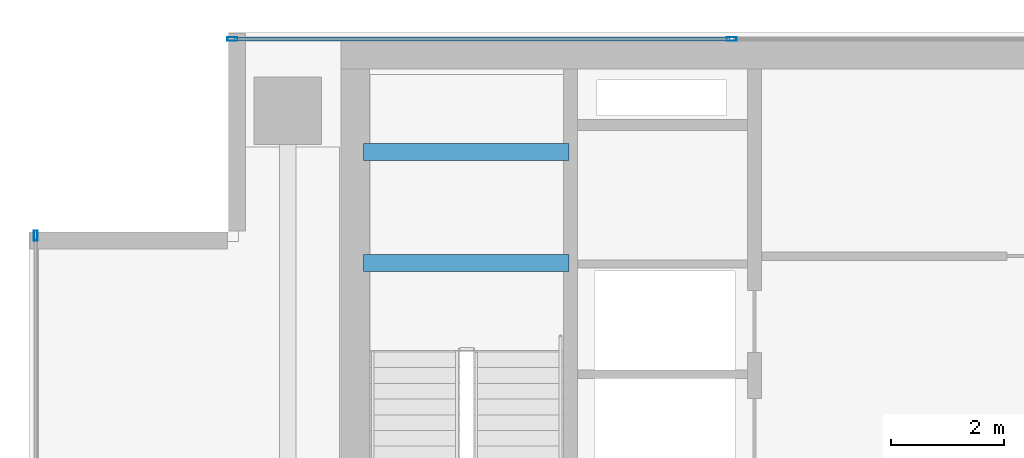
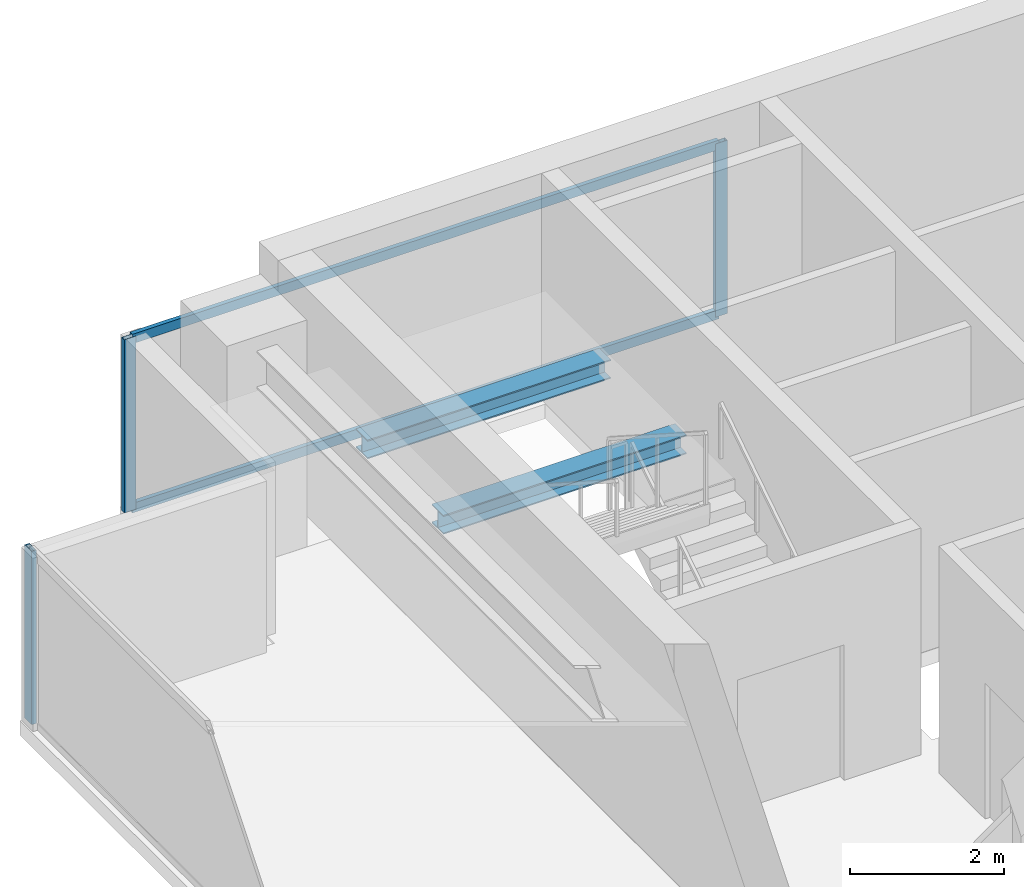
# One storey, part 11 of 20: 5 members, 2 beams, 2 elements without a shape of their own.
"""IFC4 building model written with IfcOpenShell, lengths in metres."""

from ifc_helpers import new_model, si_unit, direction, frame, origin, origin_2d, place, context, subcontext, project, spatial, hollow_rectangle, i_section, extrude, source, transform, mapped, material, layer, layer_set, material_profile, profile_set, type_object, element, aggregate, save


model = new_model("IFC4")

# Units and contexts
model_context = context("Model", 3, precision=1e-05, world=origin(), true_north=direction((0.0, 1.0)))
body_context = subcontext(model_context, "Body", "Model", "MODEL_VIEW")
ifc_project = project(units=[si_unit("LENGTHUNIT", "METRE"), si_unit("AREAUNIT", "SQUARE_METRE"), si_unit("VOLUMEUNIT", "CUBIC_METRE"), si_unit("PLANEANGLEUNIT", "RADIAN"), si_unit("MASSUNIT", "GRAM", prefix="KILO")], contexts=[model_context])

# Site, building, storey
site_placement = place(None, origin())
site = spatial("IfcSite", under=ifc_project, at=site_placement, CompositionType="ELEMENT")
building_placement = place(site_placement, origin())
building = spatial("IfcBuilding", under=site, at=building_placement, Name="Sumidabori Civic Tower", CompositionType="ELEMENT")
storey_placement = place(building_placement, frame((0.0, 0.0, 282.800048828125)))
storey = spatial("IfcBuildingStorey", under=building, at=storey_placement, Name="L74", CompositionType="ELEMENT", Elevation=282.800048828125)

# Beams
ifc_material_1 = material(Name="Steel SN490", Category="steel")
ifc_material_profile_1 = material_profile(ifc_material_1, i_section(OverallWidth=0.300048828125, OverallDepth=0.300048828125, WebThickness=0.010986328125, FlangeThickness=0.01904296875, at=origin_2d()), Name="HE 300 B")
ifc_profile_set_1 = profile_set([ifc_material_profile_1], Name="Steel SN490")
beam_type = type_object("IfcBeamType", Name="BM-LDG-300", PredefinedType="BEAM", material=ifc_profile_set_1)
shared_shape_1 = source(origin(), body_context, "Body", "SweptSolid", [
    extrude(i_section(OverallWidth=0.300048828125, OverallDepth=0.300048828125, WebThickness=0.010986328125, FlangeThickness=0.01904296875, at=origin_2d()), origin(), (0.0, 0.0, 1.0), 3.64990234375),
])
for number, where, z_axis, x_axis, name in (
    (1, (-15.449951171875, 20.09765625, 1.449951171875), (1.0, 0.0, 0.0), (0.0, 1.0, 0.0), "Stair ST-1 Landing Support Beam L74-1A"),
    (2, (-15.449951171875, 22.069580078125, 1.449951171875), (1.0, 0.0, 0.0), (0.0, 1.0, 0.0), "Stair ST-1 Landing Trimmer Beam L74-1B"),
):
    element("IfcBeam", number, at=place(storey_placement, frame(where, z_axis=z_axis, x_axis=x_axis)), inside=storey, type_object=beam_type, Name=name, PredefinedType="BEAM", context=body_context, shape_type="MappedRepresentation", body=[
        mapped(shared_shape_1, transform((0.0, 0.0, 0.0), x_axis=(1.0, 0.0, 0.0), y_axis=(0.0, 1.0, 0.0), z_axis=(0.0, 0.0, 1.0), scale=1.0)),
    ])

# Curtain wall, members
ifc_material_2 = material(Name="Anodised Bronze Aluminium AW-6063-T6", Category="aluminium")
ifc_layer = layer(ifc_material_2, 0.179931640625, Name="Anodised Bronze Aluminium AW-6063-T6")
ifc_layer_set = layer_set([ifc_layer], Name="Anodised Bronze Aluminium AW-6063-T6")
curtain_wall_type = type_object("IfcCurtainWallType", Name="CW-SYS-6", PredefinedType="NOTDEFINED", material=ifc_layer_set)
curtain_wall_1_placement = place(storey_placement, origin())
curtain_wall_1 = element("IfcCurtainWall", 3, at=curtain_wall_1_placement, inside=storey, type_object=curtain_wall_type, Name="Curtain Wall CW:L74:R07", PredefinedType="NOTDEFINED")
ifc_material_profile_2 = material_profile(ifc_material_2, hollow_rectangle(XDim=0.070068359375, YDim=0.179931640625, WallThickness=0.006103515625, at=origin_2d()), Name="ALU MULLION 180x70")
ifc_profile_set_2 = profile_set([ifc_material_profile_2], Name="Anodised Bronze Aluminium AW-6063-T6")
member_type_1 = type_object("IfcMemberType", Name="CW-MUL-180", PredefinedType="MULLION", material=ifc_profile_set_2)
shared_shape_2 = source(origin(), body_context, "Body", "SweptSolid", [
    extrude(hollow_rectangle(XDim=0.070068359375, YDim=0.179931640625, WallThickness=0.006103515625, at=origin_2d()), origin(), (0.0, 0.0, 1.0), 2.75),
])
member_1_placement = place(storey_placement, frame((-8.909912109375, 24.080078125, 0.0), z_axis=(0.0, 0.0, 1.0), x_axis=(0.0, -1.0, 0.0)))
member_1 = element("IfcMember", 4, at=member_1_placement, type_object=member_type_1, Name="CW-6 mullion 4", PredefinedType="MULLION", context=body_context, shape_type="MappedRepresentation", body=[
    mapped(shared_shape_2, transform((0.0, 0.0, 0.0), x_axis=(1.0, 0.0, 0.0), y_axis=(0.0, 1.0, 0.0), z_axis=(0.0, 0.0, 1.0), scale=1.0)),
])
member_2_placement = place(storey_placement, frame((-17.784912109375, 24.080078125, 0.0), z_axis=(0.0, 0.0, 1.0), x_axis=(0.0, -1.0, 0.0)))
member_2 = element("IfcMember", 5, at=member_2_placement, type_object=member_type_1, Name="CW-6 mullion 5", PredefinedType="MULLION", context=body_context, shape_type="MappedRepresentation", body=[
    mapped(shared_shape_2, transform((0.0, 0.0, 0.0), x_axis=(1.0, 0.0, 0.0), y_axis=(0.0, 1.0, 0.0), z_axis=(0.0, 0.0, 1.0), scale=1.0)),
])

# Curtain wall, member
curtain_wall_2_placement = place(storey_placement, origin())
curtain_wall_2 = element("IfcCurtainWall", 6, at=curtain_wall_2_placement, inside=storey, type_object=curtain_wall_type, Name="Curtain Wall CW:L74:R10", PredefinedType="NOTDEFINED")
member_3_placement = place(storey_placement, frame((-21.280029296875, 20.5849609375, 0.0), z_axis=(0.0, 0.0, 1.0), x_axis=(1.0, 0.0, 0.0)))
member_3 = element("IfcMember", 7, at=member_3_placement, type_object=member_type_1, Name="CW-6 mullion 1", PredefinedType="MULLION", context=body_context, shape_type="MappedRepresentation", body=[
    mapped(shared_shape_2, transform((0.0, 0.0, 0.0), x_axis=(1.0, 0.0, 0.0), y_axis=(0.0, 1.0, 0.0), z_axis=(0.0, 0.0, 1.0), scale=1.0)),
])
aggregate(curtain_wall_2, [member_3])

# Member
ifc_material_profile_3 = material_profile(ifc_material_2, hollow_rectangle(XDim=0.06494140625, YDim=0.14990234375, WallThickness=0.0048828125, at=origin_2d()), Name="ALU TRANSOM 150x65")
ifc_profile_set_3 = profile_set([ifc_material_profile_3], Name="Anodised Bronze Aluminium AW-6063-T6")
member_type_2 = type_object("IfcMemberType", Name="CW-TRN-150", PredefinedType="USERDEFINED", material=ifc_profile_set_3)
shared_shape_3 = source(origin(), body_context, "Body", "SweptSolid", [
    extrude(hollow_rectangle(XDim=0.06494140625, YDim=0.14990234375, WallThickness=0.0048828125, at=origin_2d()), origin(), (0.0, 0.0, 1.0), 8.804931640625),
])
member_4_placement = place(storey_placement, frame((-8.945068359375, 24.080078125, 0.032470703125), z_axis=(-1.0, 0.0, 0.0), x_axis=(0.0, -1.0, 0.0)))
member_4 = element("IfcMember", 8, at=member_4_placement, type_object=member_type_2, Name="CW-6 transom 4.1", ObjectType="TRANSOM", PredefinedType="USERDEFINED", context=body_context, shape_type="MappedRepresentation", body=[
    mapped(shared_shape_3, transform((0.0, 0.0, 0.0), x_axis=(1.0, 0.0, 0.0), y_axis=(0.0, 1.0, 0.0), z_axis=(0.0, 0.0, 1.0), scale=1.0)),
])

member_5_placement = place(storey_placement, frame((-8.945068359375, 24.080078125, 2.717529296875), z_axis=(-1.0, 0.0, 0.0), x_axis=(0.0, -1.0, 0.0)))
member_5 = element("IfcMember", 9, at=member_5_placement, type_object=member_type_2, Name="CW-6 transom 4.2", ObjectType="TRANSOM", PredefinedType="USERDEFINED", context=body_context, shape_type="MappedRepresentation", body=[
    mapped(shared_shape_3, transform((0.0, 0.0, 0.0), x_axis=(1.0, 0.0, 0.0), y_axis=(0.0, 1.0, 0.0), z_axis=(0.0, 0.0, 1.0), scale=1.0)),
])

aggregate(curtain_wall_1, [member_1, member_2, member_4, member_5])

save(model, "model.ifc")
